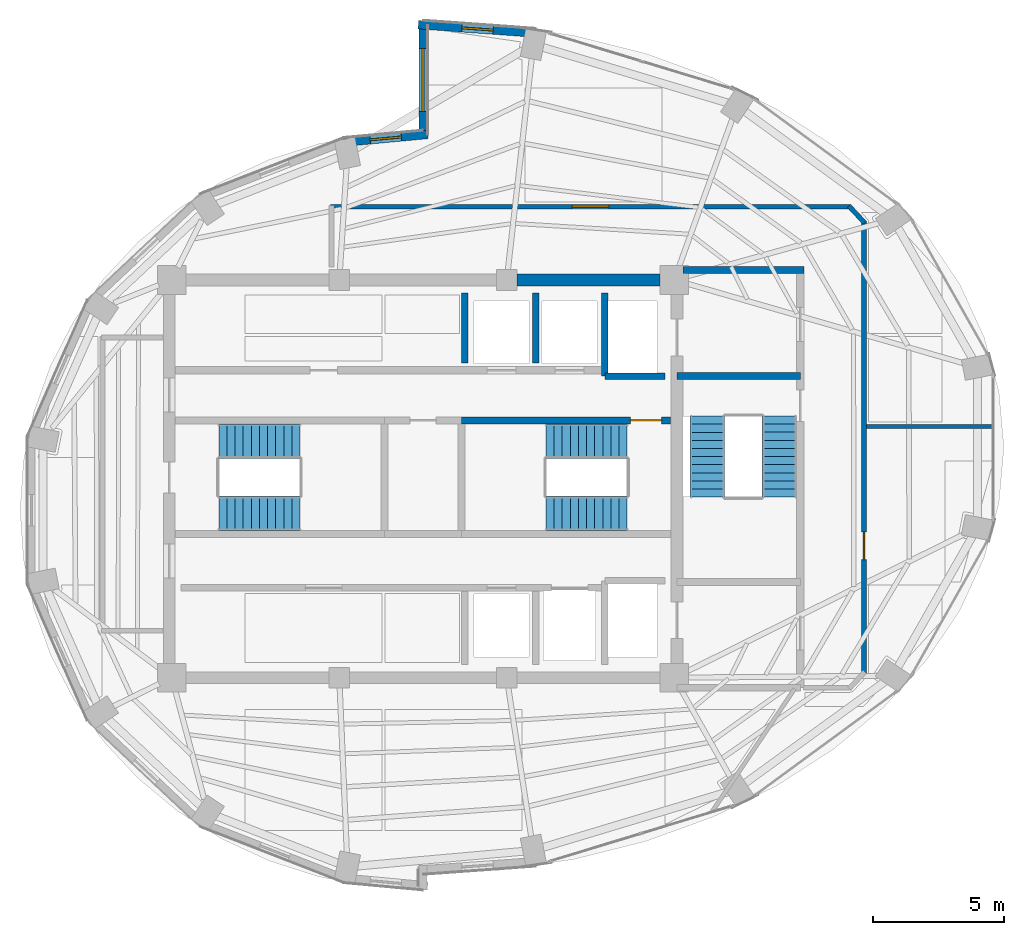
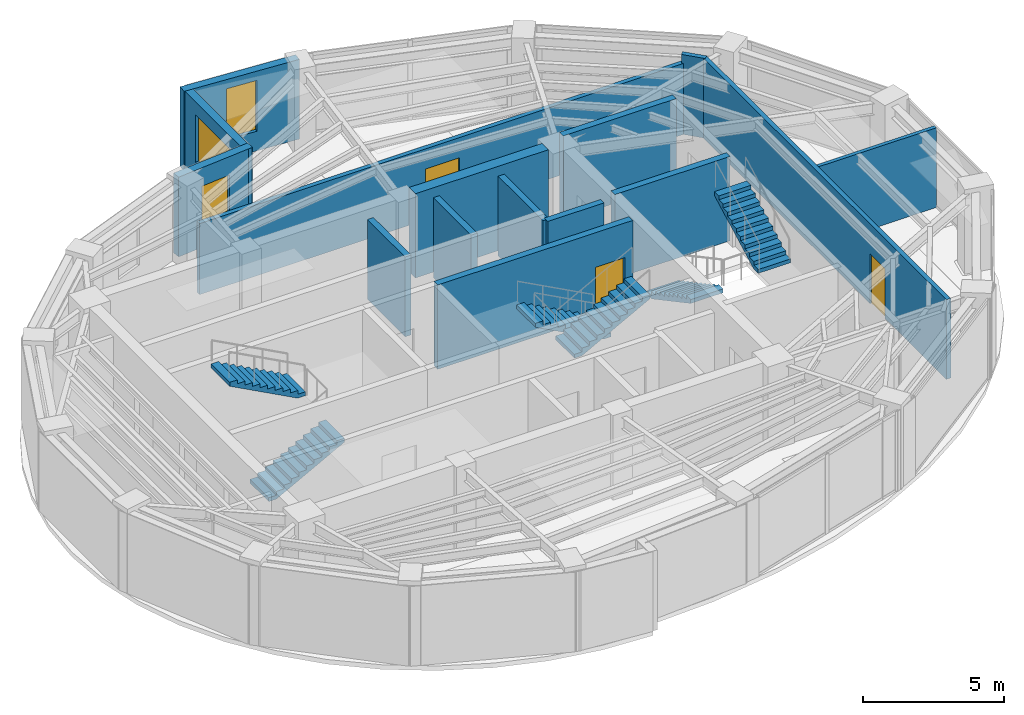
# One storey, part 10 of 12: 15 walls, 6 stair flights, 3 doors, 3 windows, 6 openings, 3 elements without a shape of their own.
"""IFC4 building model written with IfcOpenShell, lengths in metres."""

from ifc_helpers import new_model, si_unit, direction, frame, frame_2d, origin, place, context, subcontext, project, spatial, polyline, rectangle, outline, extrude, material, layer, layer_set, type_object, element, fill, aggregate, save


model = new_model("IFC4")

# Units and contexts
model_context = context("Model", 3, precision=1e-05, world=origin(), true_north=direction((0.0, 1.0)))
body_context = subcontext(model_context, "Body", "Model", "MODEL_VIEW")
ifc_project = project(units=[si_unit("LENGTHUNIT", "METRE"), si_unit("AREAUNIT", "SQUARE_METRE"), si_unit("VOLUMEUNIT", "CUBIC_METRE"), si_unit("PLANEANGLEUNIT", "RADIAN"), si_unit("MASSUNIT", "GRAM", prefix="KILO")], contexts=[model_context])

# Site, building, storey
site_placement = place(None, origin())
site = spatial("IfcSite", under=ifc_project, at=site_placement, CompositionType="ELEMENT")
building_placement = place(site_placement, origin())
building = spatial("IfcBuilding", under=site, at=building_placement, Name="Lazwardi Medical Tower", CompositionType="ELEMENT")
storey_placement = place(building_placement, frame((0.0, 0.0, 291.50390625)))
storey = spatial("IfcBuildingStorey", under=building, at=storey_placement, Name="L76", CompositionType="ELEMENT", Elevation=291.50390625)

# Wall, opening, door
ifc_material_1 = material(Name="Fire-rated gypsum board on steel stud", Category="steel")
ifc_layer_1 = layer(ifc_material_1, 0.179931640625)
ifc_layer_set_1 = layer_set([ifc_layer_1], Name="Fire-rated gypsum board on steel stud")
wall_type_1 = type_object("IfcWallType", Name="WL-COR-180", PredefinedType="PARTITIONING", material=ifc_layer_set_1)
wall_1_placement = place(storey_placement, frame((32.4599609375, 38.39990234375, 0.0), z_axis=(0.0, 0.0, 1.0), x_axis=(1.0, 0.0, 0.0)))
wall_1 = element("IfcWall", 1, at=wall_1_placement, inside=storey, type_object=wall_type_1, Name="L76 Corridor partition 2", PredefinedType="PARTITIONING", context=body_context, shape_type="SweptSolid", body=[
    extrude(rectangle(XDim=19.879150390625, YDim=0.179931640625, at=frame_2d((9.939453125, 0.0))), origin(), (0.0, 0.0, 1.0), 3.072998046875),
])
opening_1_placement = place(wall_1_placement, frame((9.239501953125, 0.0, 0.0)))
opening_1 = element("IfcOpeningElement", 2, at=opening_1_placement, cuts=wall_1, Name="Opening D-L76-009", PredefinedType="OPENING", context=body_context, shape_type="SweptSolid", body=[
    extrude(rectangle(XDim=1.39990234375, YDim=2.199951171875, at=frame_2d((0.699951171875, 1.10009765625))), frame((0.0, 0.099853515625, 0.0), z_axis=(0.0, -1.0, 0.0), x_axis=(1.0, 0.0, 0.0)), (0.0, 0.0, 1.0), 0.199951171875),
])
ifc_material_2 = material(Name="Anti-microbial laminate hospital leaf")
door_type_1 = type_object("IfcDoorType", Name="DR-BED-1400", OperationType="NOTDEFINED", PredefinedType="DOOR", material=ifc_material_2)
door_1_placement = place(opening_1_placement, origin())
door_1 = element("IfcDoor", 3, at=door_1_placement, inside=storey, type_object=door_type_1, Name="L76 Rehabilitation Gymnasium Door 02", OperationType="SINGLE_SWING_LEFT", OverallHeight=2.199951171875, OverallWidth=1.39990234375, PredefinedType="DOOR", context=body_context, shape_type="SweptSolid", body=[
    extrude(rectangle(XDim=1.39990234375, YDim=2.199951171875, at=frame_2d((0.699951171875, 1.10009765625))), frame((0.0, 0.02490234375, 0.0), z_axis=(0.0, -1.0, 0.0), x_axis=(1.0, 0.0, 0.0)), (0.0, 0.0, 1.0), 0.050048828125),
])
fill(opening_1, door_1)

# Wall
wall_2_placement = place(storey_placement, frame((52.271728515625, 38.42919921875, 0.0), z_axis=(0.0, 0.0, 1.0), x_axis=(0.682475113459, -0.730908831188, 0.0)))
element("IfcWall", 4, at=wall_2_placement, inside=storey, type_object=wall_type_1, Name="L76 Corridor partition 3", PredefinedType="PARTITIONING", context=body_context, shape_type="SweptSolid", body=[
    extrude(rectangle(XDim=0.88720703125, YDim=0.179931640625, at=frame_2d((0.443603515625, 0.0))), origin(), (0.0, 0.0, 1.0), 3.447998046875),
])

# Wall, opening, door
wall_3_placement = place(storey_placement, frame((52.85009765625, 37.85009765625, 0.0), z_axis=(0.0, 0.0, 1.0), x_axis=(0.0, -1.0, 0.0)))
wall_3 = element("IfcWall", 5, at=wall_3_placement, inside=storey, type_object=wall_type_1, Name="L76 Corridor partition 4", PredefinedType="PARTITIONING", context=body_context, shape_type="SweptSolid", body=[
    extrude(rectangle(XDim=17.30029296875, YDim=0.179931640625, at=frame_2d((8.650146484375, 0.0))), origin(), (0.0, 0.0, 1.0), 3.447998046875),
])
opening_2_placement = place(wall_3_placement, frame((11.89111328125, 0.0, 0.0)))
opening_2 = element("IfcOpeningElement", 6, at=opening_2_placement, cuts=wall_3, Name="Opening D-L76-008", PredefinedType="OPENING", context=body_context, shape_type="SweptSolid", body=[
    extrude(rectangle(XDim=1.050048828125, YDim=2.14990234375, at=frame_2d((0.52490234375, 1.074951171875))), frame((0.0, 0.099853515625, 0.0), z_axis=(0.0, -1.0, 0.0), x_axis=(1.0, 0.0, 0.0)), (0.0, 0.0, 1.0), 0.199951171875),
])
door_type_2 = type_object("IfcDoorType", Name="DR-CLN-1050", OperationType="NOTDEFINED", PredefinedType="DOOR", material=ifc_material_2)
door_2_placement = place(opening_2_placement, origin())
door_2 = element("IfcDoor", 7, at=door_2_placement, inside=storey, type_object=door_type_2, Name="L76 Clinical Specialist Office Door 01", OperationType="SINGLE_SWING_RIGHT", OverallHeight=2.14990234375, OverallWidth=1.050048828125, PredefinedType="DOOR", context=body_context, shape_type="SweptSolid", body=[
    extrude(rectangle(XDim=1.050048828125, YDim=2.14990234375, at=frame_2d((0.52490234375, 1.074951171875))), frame((0.0, 0.02490234375, 0.0), z_axis=(0.0, -1.0, 0.0), x_axis=(1.0, 0.0, 0.0)), (0.0, 0.0, 1.0), 0.050048828125),
])
fill(opening_2, door_2)

# Wall
ifc_material_3 = material(Name="Concrete C60/75", Category="concrete")
ifc_layer_2 = layer(ifc_material_3, 0.449951171875)
ifc_layer_set_2 = layer_set([ifc_layer_2], Name="Concrete C60/75")
wall_type_2 = type_object("IfcWallType", Name="WL-CORE-450", PredefinedType="SHEAR", material=ifc_layer_set_2)
wall_4_placement = place(storey_placement, frame((39.60009765625, 35.60009765625, 0.0), z_axis=(0.0, 0.0, 1.0), x_axis=(1.0, 0.0, 0.0)))
element("IfcWall", 8, at=wall_4_placement, inside=storey, type_object=wall_type_2, Name="Core wall CW-S4 N3 L76", PredefinedType="SHEAR", context=body_context, shape_type="SweptSolid", body=[
    extrude(rectangle(XDim=5.449951171875, YDim=0.449951171875, at=frame_2d((2.72509765625, 0.0))), origin(), (0.0, 0.0, 1.0), 3.648193359375),
])

# Wall, opening, window
ifc_material_4 = material(Name="Precast concrete C45/55", Category="concrete")
ifc_layer_3 = layer(ifc_material_4, 0.320068359375)
ifc_layer_set_3 = layer_set([ifc_layer_3], Name="Precast concrete C45/55")
wall_type_3 = type_object("IfcWallType", Name="WL-IWAN-320", PredefinedType="SOLIDWALL", material=ifc_layer_set_3)
wall_5_placement = place(storey_placement, frame((40.349609375, 45.0263671875, 0.0), z_axis=(0.0, 0.0, 1.0), x_axis=(-0.997412917451, 0.071885131294, 0.0)))
wall_5 = element("IfcWall", 9, at=wall_5_placement, inside=storey, type_object=wall_type_3, Name="L76 Iwan Portal Return Wall NE_ret", PredefinedType="SOLIDWALL", context=body_context, shape_type="SweptSolid", body=[
    extrude(rectangle(XDim=4.540771484375, YDim=0.320068359375, at=frame_2d((2.2705078125, 0.0))), origin(), (0.0, 0.0, 1.0), 3.447998046875),
])
opening_3_placement = place(wall_5_placement, frame((1.67041015625, 0.0, 0.85009765625)))
opening_3 = element("IfcOpeningElement", 10, at=opening_3_placement, cuts=wall_5, Name="Opening WN-01", PredefinedType="OPENING", context=body_context, shape_type="SweptSolid", body=[
    extrude(rectangle(XDim=1.199951171875, YDim=2.199951171875, at=frame_2d((0.60009765625, 1.10009765625))), frame((0.0, 0.169921875, 0.0), z_axis=(0.0, -1.0, 0.0), x_axis=(1.0, 0.0, 0.0)), (0.0, 0.0, 1.0), 0.340087890625),
])
ifc_material_5 = material(Name="Low-e bronze solar control double glazing", Category="glass")
window_type_1 = type_object("IfcWindowType", Name="WIN-IW-1200", PartitioningType="SINGLE_PANEL", PredefinedType="WINDOW", material=ifc_material_5)
window_1_placement = place(opening_3_placement, origin())
window_1 = element("IfcWindow", 11, at=window_1_placement, inside=storey, type_object=window_type_1, Name="L76 Iwan Slot Window NE_ret", OverallHeight=2.199951171875, OverallWidth=1.199951171875, PartitioningType="SINGLE_PANEL", PredefinedType="WINDOW", context=body_context, shape_type="SweptSolid", body=[
    extrude(rectangle(XDim=1.199951171875, YDim=2.199951171875, at=frame_2d((0.60009765625, 1.10009765625))), frame((0.0, 0.030029296875, 0.0), z_axis=(0.0, -1.0, 0.0), x_axis=(1.0, 0.0, 0.0)), (0.0, 0.0, 1.0), 0.06005859375),
])
fill(opening_3, window_1)

wall_6_placement = place(storey_placement, frame((36.178955078125, 41.156494140625, 0.0), z_axis=(0.0, 0.0, 1.0), x_axis=(-0.995736155144, -0.092247001792, 0.0)))
wall_6 = element("IfcWall", 12, at=wall_6_placement, inside=storey, type_object=wall_type_3, Name="L76 Iwan Portal Return Wall NW_ret", PredefinedType="SOLIDWALL", context=body_context, shape_type="SweptSolid", body=[
    extrude(rectangle(XDim=3.215576171875, YDim=0.320068359375, at=frame_2d((1.60791015625, 0.0))), origin(), (0.0, 0.0, 1.0), 3.447998046875),
])
opening_4_placement = place(wall_6_placement, frame((1.0078125, 0.0, 0.85009765625)))
opening_4 = element("IfcOpeningElement", 13, at=opening_4_placement, cuts=wall_6, Name="Opening WN-04", PredefinedType="OPENING", context=body_context, shape_type="SweptSolid", body=[
    extrude(rectangle(XDim=1.199951171875, YDim=1.800048828125, at=frame_2d((0.60009765625, 0.89990234375))), frame((0.0, 0.169921875, 0.0), z_axis=(0.0, -1.0, 0.0), x_axis=(1.0, 0.0, 0.0)), (0.0, 0.0, 1.0), 0.340087890625),
])
window_type_2 = type_object("IfcWindowType", Name="WIN-DRUM-1200", PartitioningType="SINGLE_PANEL", PredefinedType="WINDOW", material=ifc_material_5)
window_2_placement = place(opening_4_placement, origin())
window_2 = element("IfcWindow", 14, at=window_2_placement, inside=storey, type_object=window_type_2, Name="L76 Iwan Slot Window NW_ret", OverallHeight=1.800048828125, OverallWidth=1.199951171875, PartitioningType="SINGLE_PANEL", PredefinedType="WINDOW", context=body_context, shape_type="SweptSolid", body=[
    extrude(rectangle(XDim=1.199951171875, YDim=1.800048828125, at=frame_2d((0.60009765625, 0.89990234375))), frame((0.0, 0.030029296875, 0.0), z_axis=(0.0, -1.0, 0.0), x_axis=(1.0, 0.0, 0.0)), (0.0, 0.0, 1.0), 0.06005859375),
])
fill(opening_4, window_2)

wall_7_placement = place(storey_placement, frame((36.0, 45.5, 0.0), z_axis=(0.0, 0.0, 1.0), x_axis=(0.0, -1.0, 0.0)))
wall_7 = element("IfcWall", 15, at=wall_7_placement, inside=storey, type_object=wall_type_3, Name="L76 Turquoise Tilework Iwan Seam Wall N_seam", PredefinedType="SOLIDWALL", context=body_context, shape_type="SweptSolid", body=[
    extrude(rectangle(XDim=4.52001953125, YDim=0.320068359375, at=frame_2d((2.260009765625, 0.0))), origin(), (0.0, 0.0, 1.0), 3.447998046875),
])
opening_5_placement = place(wall_7_placement, frame((1.06005859375, 0.0, 0.840087890625)))
opening_5 = element("IfcOpeningElement", 16, at=opening_5_placement, cuts=wall_7, Name="Opening WN-02", PredefinedType="OPENING", context=body_context, shape_type="SweptSolid", body=[
    extrude(rectangle(XDim=2.39990234375, YDim=2.0400390625, at=frame_2d((1.199951171875, 1.02001953125))), frame((0.0, 0.169921875, 0.0), z_axis=(0.0, -1.0, 0.0), x_axis=(1.0, 0.0, 0.0)), (0.0, 0.0, 1.0), 0.340087890625),
])
window_type_3 = type_object("IfcWindowType", Name="WIN-IW-2400", PartitioningType="SINGLE_PANEL", PredefinedType="WINDOW", material=ifc_material_5)
window_3_placement = place(opening_5_placement, origin())
window_3 = element("IfcWindow", 17, at=window_3_placement, inside=storey, type_object=window_type_3, Name="L76 Iwan Seam Window N_seam", OverallHeight=2.0400390625, OverallWidth=2.39990234375, PartitioningType="SINGLE_PANEL", PredefinedType="WINDOW", context=body_context, shape_type="SweptSolid", body=[
    extrude(rectangle(XDim=2.39990234375, YDim=2.0400390625, at=frame_2d((1.199951171875, 1.02001953125))), frame((0.0, 0.030029296875, 0.0), z_axis=(0.0, -1.0, 0.0), x_axis=(1.0, 0.0, 0.0)), (0.0, 0.0, 1.0), 0.06005859375),
])
fill(opening_5, window_3)

# Walls
ifc_material_6 = material(Name="Autoclaved aerated concrete blockwork", Category="masonry")
ifc_layer_4 = layer(ifc_material_6, 0.25)
ifc_layer_set_4 = layer_set([ifc_layer_4], Name="Autoclaved aerated concrete blockwork")
wall_type_4 = type_object("IfcWallType", Name="WL-SHAFT-250", PredefinedType="SOLIDWALL", material=ifc_layer_set_4)
wall_8_placement = place(storey_placement, frame((42.949951171875, 31.919921875, 0.0), z_axis=(0.0, 0.0, 1.0), x_axis=(0.0, 1.0, 0.0)))
element("IfcWall", 18, at=wall_8_placement, inside=storey, type_object=wall_type_4, Name="L76 FL-01 West shaft wall", PredefinedType="SOLIDWALL", context=body_context, shape_type="SweptSolid", body=[
    extrude(rectangle(XDim=3.18017578125, YDim=0.25, at=frame_2d((1.590087890625, 0.0))), origin(), (0.0, 0.0, 1.0), 3.447998046875),
])
wall_9_placement = place(storey_placement, frame((42.949951171875, 31.919921875, 0.0), z_axis=(0.0, 0.0, 1.0), x_axis=(1.0, 0.0, 0.0)))
element("IfcWall", 19, at=wall_9_placement, inside=storey, type_object=wall_type_4, Name="L76 FL-01 South shaft wall", PredefinedType="SOLIDWALL", context=body_context, shape_type="SweptSolid", body=[
    extrude(rectangle(XDim=2.300048828125, YDim=0.25, at=frame_2d((1.14990234375, 0.0))), origin(), (0.0, 0.0, 1.0), 3.447998046875),
])
for number, where, z_axis, x_axis, name in (
    (20, (37.60009765625, 32.419921875, 0.0), (0.0, 0.0, 1.0), (0.0, 1.0, 0.0), "L76 North hoistway divider"),
    (21, (40.300048828125, 32.419921875, 0.0), (0.0, 0.0, 1.0), (0.0, 1.0, 0.0), "L76 North hoistway divider"),
):
    element("IfcWall", number, at=place(storey_placement, frame(where, z_axis=z_axis, x_axis=x_axis)), inside=storey, type_object=wall_type_4, Name=name, PredefinedType="SOLIDWALL", context=body_context, shape_type="SweptSolid", body=[
        extrude(rectangle(XDim=2.68017578125, YDim=0.25, at=frame_2d((1.340087890625, 0.0))), origin(), (0.0, 0.0, 1.0), 3.447998046875),
    ])

# Wall, opening, door
ifc_material_7 = material(Name="Concrete C50/60", Category="concrete")
ifc_layer_5 = layer(ifc_material_7, 0.27001953125)
ifc_layer_set_5 = layer_set([ifc_layer_5], Name="Concrete C50/60")
wall_type_5 = type_object("IfcWallType", Name="WL-STR-250", PredefinedType="SHEAR", material=ifc_layer_set_5)
wall_10_placement = place(storey_placement, frame((37.465087890625, 30.235107421875, 0.0), z_axis=(0.0, 0.0, 1.0), x_axis=(1.0, 0.0, 0.0)))
wall_10 = element("IfcWall", 22, at=wall_10_placement, inside=storey, type_object=wall_type_5, Name="L76 ST2 North shear shaft wall SW-S1", PredefinedType="SHEAR", context=body_context, shape_type="SweptSolid", body=[
    extrude(rectangle(XDim=7.98486328125, YDim=0.27001953125, at=frame_2d((3.992431640625, 0.0))), origin(), (0.0, 0.0, 1.0), 3.648193359375),
])
opening_6_placement = place(wall_10_placement, frame((6.455078125, 0.0, 0.0)))
opening_6 = element("IfcOpeningElement", 23, at=opening_6_placement, cuts=wall_10, Name="Opening D-L76-011", PredefinedType="OPENING", context=body_context, shape_type="SweptSolid", body=[
    extrude(rectangle(XDim=1.199951171875, YDim=2.14990234375, at=frame_2d((0.60009765625, 1.074951171875))), frame((0.0, 0.14501953125, 0.0), z_axis=(0.0, -1.0, 0.0), x_axis=(1.0, 0.0, 0.0)), (0.0, 0.0, 1.0), 0.2900390625),
])
ifc_material_8 = material(Name="Fire-rated steel leaf and frame", Category="steel")
door_type_3 = type_object("IfcDoorType", Name="DR-STR-1200", OperationType="NOTDEFINED", PredefinedType="DOOR", material=ifc_material_8)
door_3_placement = place(opening_6_placement, origin())
door_3 = element("IfcDoor", 24, at=door_3_placement, inside=storey, type_object=door_type_3, Name="L76 Exit Stair ST2 Door", OperationType="SINGLE_SWING_LEFT", OverallHeight=2.14990234375, OverallWidth=1.199951171875, PredefinedType="DOOR", context=body_context, shape_type="SweptSolid", body=[
    extrude(rectangle(XDim=1.199951171875, YDim=2.14990234375, at=frame_2d((0.60009765625, 1.074951171875))), frame((0.0, 0.02490234375, 0.0), z_axis=(0.0, -1.0, 0.0), x_axis=(1.0, 0.0, 0.0)), (0.0, 0.0, 1.0), 0.050048828125),
])
fill(opening_6, door_3)

# Walls
wall_11_placement = place(storey_placement, frame((45.925048828125, 35.97998046875, 0.0), z_axis=(0.0, 0.0, 1.0), x_axis=(1.0, 0.0, 0.0)))
element("IfcWall", 25, at=wall_11_placement, inside=storey, type_object=wall_type_5, Name="L76 FFL-N North shear wall SW-S1", PredefinedType="SHEAR", context=body_context, shape_type="SweptSolid", body=[
    extrude(rectangle(XDim=4.625, YDim=0.27001953125, at=frame_2d((2.3125, 0.0))), origin(), (0.0, 0.0, 1.0), 3.648193359375),
])
wall_12_placement = place(storey_placement, frame((45.699951171875, 31.93505859375, 0.0), z_axis=(0.0, 0.0, 1.0), x_axis=(1.0, 0.0, 0.0)))
element("IfcWall", 26, at=wall_12_placement, inside=storey, type_object=wall_type_5, Name="L76 ST3 North shear shaft wall SW-S1", PredefinedType="SHEAR", context=body_context, shape_type="SweptSolid", body=[
    extrude(rectangle(XDim=4.715087890625, YDim=0.27001953125, at=frame_2d((2.357421875, 0.0))), origin(), (0.0, 0.0, 1.0), 3.648193359375),
])
ifc_material_9 = material(Name="Acoustic gypsum board partition")
ifc_layer_6 = layer(ifc_material_9, 0.14990234375)
ifc_layer_set_6 = layer_set([ifc_layer_6], Name="Acoustic gypsum board partition")
wall_type_6 = type_object("IfcWallType", Name="WL-WRD-150", PredefinedType="PARTITIONING", material=ifc_layer_set_6)
wall_13_placement = place(storey_placement, frame((52.93994140625, 30.0, 0.0), z_axis=(0.0, 0.0, 1.0), x_axis=(1.0, 0.0, 0.0)))
element("IfcWall", 27, at=wall_13_placement, inside=storey, type_object=wall_type_6, Name="L76 Room partition 1", PredefinedType="PARTITIONING", context=body_context, shape_type="SweptSolid", body=[
    extrude(rectangle(XDim=4.831787109375, YDim=0.14990234375, at=frame_2d((2.416015625, 0.0))), origin(), (0.0, 0.0, 1.0), 3.447998046875),
])

# Stair, stair flights
ifc_material_10 = material(Name="Concrete C45/55", Category="concrete")
stair_type = type_object("IfcStairType", Name="STR-WRD", PredefinedType="HALF_TURN_STAIR", material=ifc_material_10)
stair_1_placement = place(storey_placement, origin())
stair_1 = element("IfcStair", 28, at=stair_1_placement, inside=storey, type_object=stair_type, Name="L76 Protected Exit Stair ST1", PredefinedType="HALF_TURN_STAIR")
stair_flight_type = type_object("IfcStairFlightType", Name="FLT-WRD", PredefinedType="STRAIGHT", material=ifc_material_10)
stair_flight_1_placement = place(storey_placement, frame((28.199951171875, 26.679931640625, 0.0), z_axis=(0.0, 0.0, 1.0), x_axis=(1.0, 0.0, 0.0)))
stair_flight_1 = element("IfcStairFlight", 29, at=stair_flight_1_placement, type_object=stair_flight_type, Name="ST1 flight 1", NumberOfRisers=11, NumberOfTreads=10, PredefinedType="STRAIGHT", RiserHeight=0.165818182, TreadLength=0.31, context=body_context, shape_type="SweptSolid", body=[
    extrude(outline(polyline([(0.0, 0.0), (0.0, 0.165771484375), (0.31005859375, 0.165771484375), (0.31005859375, 0.33154296875), (0.6201171875, 0.33154296875), (0.6201171875, 0.49755859375), (0.929931640625, 0.49755859375), (0.929931640625, 0.663330078125), (1.239990234375, 0.663330078125), (1.239990234375, 0.8291015625), (1.550048828125, 0.8291015625), (1.550048828125, 0.994873046875), (1.860107421875, 0.994873046875), (1.860107421875, 1.16064453125), (2.169921875, 1.16064453125), (2.169921875, 1.32666015625), (2.47998046875, 1.32666015625), (2.47998046875, 1.492431640625), (2.7900390625, 1.492431640625), (2.7900390625, 1.658203125), (3.10009765625, 1.658203125), (3.10009765625, 1.823974609375), (3.10009765625, 1.48828125), (0.31787109375, 0.0), (0.0, 0.0)])), frame((0.0, 0.66015625, 0.0), z_axis=(0.0, -1.0, 0.0), x_axis=(1.0, 0.0, 0.0)), (0.0, 0.0, 1.0), 1.320068359375),
])
stair_flight_2_placement = place(storey_placement, frame((31.300048828125, 29.43994140625, 1.823974609375), z_axis=(0.0, 0.0, 1.0), x_axis=(-1.0, 0.0, 0.0)))
stair_flight_2 = element("IfcStairFlight", 30, at=stair_flight_2_placement, type_object=stair_flight_type, Name="ST1 flight 2", NumberOfRisers=11, NumberOfTreads=10, PredefinedType="STRAIGHT", RiserHeight=0.165818182, TreadLength=0.31, context=body_context, shape_type="SweptSolid", body=[
    extrude(outline(polyline([(0.0, 0.0), (0.0, 0.165771484375), (0.31005859375, 0.165771484375), (0.31005859375, 0.33154296875), (0.6201171875, 0.33154296875), (0.6201171875, 0.49755859375), (0.929931640625, 0.49755859375), (0.929931640625, 0.663330078125), (1.239990234375, 0.663330078125), (1.239990234375, 0.8291015625), (1.550048828125, 0.8291015625), (1.550048828125, 0.994873046875), (1.860107421875, 0.994873046875), (1.860107421875, 1.16064453125), (2.169921875, 1.16064453125), (2.169921875, 1.32666015625), (2.47998046875, 1.32666015625), (2.47998046875, 1.492431640625), (2.7900390625, 1.492431640625), (2.7900390625, 1.658203125), (3.10009765625, 1.658203125), (3.10009765625, 1.823974609375), (3.10009765625, 1.48828125), (0.31787109375, 0.0), (0.0, 0.0)])), frame((0.0, 0.66015625, 0.0), z_axis=(0.0, -1.0, 0.0), x_axis=(1.0, 0.0, 0.0)), (0.0, 0.0, 1.0), 1.320068359375),
])
aggregate(stair_1, [stair_flight_1, stair_flight_2])

stair_2_placement = place(storey_placement, origin())
stair_2 = element("IfcStair", 31, at=stair_2_placement, inside=storey, type_object=stair_type, Name="L76 Protected Exit Stair ST2", PredefinedType="HALF_TURN_STAIR")
stair_flight_3_placement = place(storey_placement, frame((43.800048828125, 29.43994140625, 0.0), z_axis=(0.0, 0.0, 1.0), x_axis=(-1.0, 0.0, 0.0)))
stair_flight_3 = element("IfcStairFlight", 32, at=stair_flight_3_placement, type_object=stair_flight_type, Name="ST2 flight 1", NumberOfRisers=11, NumberOfTreads=10, PredefinedType="STRAIGHT", RiserHeight=0.165818182, TreadLength=0.31, context=body_context, shape_type="SweptSolid", body=[
    extrude(outline(polyline([(0.0, 0.0), (0.0, 0.165771484375), (0.31005859375, 0.165771484375), (0.31005859375, 0.33154296875), (0.6201171875, 0.33154296875), (0.6201171875, 0.49755859375), (0.929931640625, 0.49755859375), (0.929931640625, 0.663330078125), (1.239990234375, 0.663330078125), (1.239990234375, 0.8291015625), (1.550048828125, 0.8291015625), (1.550048828125, 0.994873046875), (1.860107421875, 0.994873046875), (1.860107421875, 1.16064453125), (2.169921875, 1.16064453125), (2.169921875, 1.32666015625), (2.47998046875, 1.32666015625), (2.47998046875, 1.492431640625), (2.7900390625, 1.492431640625), (2.7900390625, 1.658203125), (3.10009765625, 1.658203125), (3.10009765625, 1.823974609375), (3.10009765625, 1.48828125), (0.31787109375, 0.0), (0.0, 0.0)])), frame((0.0, 0.66015625, 0.0), z_axis=(0.0, -1.0, 0.0), x_axis=(1.0, 0.0, 0.0)), (0.0, 0.0, 1.0), 1.320068359375),
])
stair_flight_4_placement = place(storey_placement, frame((40.699951171875, 26.679931640625, 1.823974609375), z_axis=(0.0, 0.0, 1.0), x_axis=(1.0, 0.0, 0.0)))
stair_flight_4 = element("IfcStairFlight", 33, at=stair_flight_4_placement, type_object=stair_flight_type, Name="ST2 flight 2", NumberOfRisers=11, NumberOfTreads=10, PredefinedType="STRAIGHT", RiserHeight=0.165818182, TreadLength=0.31, context=body_context, shape_type="SweptSolid", body=[
    extrude(outline(polyline([(0.0, 0.0), (0.0, 0.165771484375), (0.31005859375, 0.165771484375), (0.31005859375, 0.33154296875), (0.6201171875, 0.33154296875), (0.6201171875, 0.49755859375), (0.929931640625, 0.49755859375), (0.929931640625, 0.663330078125), (1.239990234375, 0.663330078125), (1.239990234375, 0.8291015625), (1.550048828125, 0.8291015625), (1.550048828125, 0.994873046875), (1.860107421875, 0.994873046875), (1.860107421875, 1.16064453125), (2.169921875, 1.16064453125), (2.169921875, 1.32666015625), (2.47998046875, 1.32666015625), (2.47998046875, 1.492431640625), (2.7900390625, 1.492431640625), (2.7900390625, 1.658203125), (3.10009765625, 1.658203125), (3.10009765625, 1.823974609375), (3.10009765625, 1.48828125), (0.31787109375, 0.0), (0.0, 0.0)])), frame((0.0, 0.66015625, 0.0), z_axis=(0.0, -1.0, 0.0), x_axis=(1.0, 0.0, 0.0)), (0.0, 0.0, 1.0), 1.320068359375),
])
aggregate(stair_2, [stair_flight_3, stair_flight_4])

stair_3_placement = place(storey_placement, origin())
stair_3 = element("IfcStair", 34, at=stair_3_placement, inside=storey, type_object=stair_type, Name="L76 Protected Exit Stair ST3", PredefinedType="HALF_TURN_STAIR")
stair_flight_5_placement = place(storey_placement, frame((46.860107421875, 30.39990234375, 0.0), z_axis=(0.0, 0.0, 1.0), x_axis=(0.0, -1.0, 0.0)))
stair_flight_5 = element("IfcStairFlight", 35, at=stair_flight_5_placement, type_object=stair_flight_type, Name="ST3 flight 1", NumberOfRisers=11, NumberOfTreads=10, PredefinedType="STRAIGHT", RiserHeight=0.165818182, TreadLength=0.31, context=body_context, shape_type="SweptSolid", body=[
    extrude(outline(polyline([(0.0, 0.0), (0.0, 0.165771484375), (0.31005859375, 0.165771484375), (0.31005859375, 0.33154296875), (0.6201171875, 0.33154296875), (0.6201171875, 0.49755859375), (0.929931640625, 0.49755859375), (0.929931640625, 0.663330078125), (1.239990234375, 0.663330078125), (1.239990234375, 0.8291015625), (1.550048828125, 0.8291015625), (1.550048828125, 0.994873046875), (1.860107421875, 0.994873046875), (1.860107421875, 1.16064453125), (2.169921875, 1.16064453125), (2.169921875, 1.32666015625), (2.47998046875, 1.32666015625), (2.47998046875, 1.492431640625), (2.7900390625, 1.492431640625), (2.7900390625, 1.658203125), (3.10009765625, 1.658203125), (3.10009765625, 1.823974609375), (3.10009765625, 1.48828125), (0.31787109375, 0.0), (0.0, 0.0)])), frame((0.0, 0.66015625, 0.0), z_axis=(0.0, -1.0, 0.0), x_axis=(1.0, 0.0, 0.0)), (0.0, 0.0, 1.0), 1.320068359375),
])
stair_flight_6_placement = place(storey_placement, frame((49.6201171875, 27.300048828125, 1.823974609375), z_axis=(0.0, 0.0, 1.0), x_axis=(0.0, 1.0, 0.0)))
stair_flight_6 = element("IfcStairFlight", 36, at=stair_flight_6_placement, type_object=stair_flight_type, Name="ST3 flight 2", NumberOfRisers=11, NumberOfTreads=10, PredefinedType="STRAIGHT", RiserHeight=0.165818182, TreadLength=0.31, context=body_context, shape_type="SweptSolid", body=[
    extrude(outline(polyline([(0.0, 0.0), (0.0, 0.165771484375), (0.31005859375, 0.165771484375), (0.31005859375, 0.33154296875), (0.6201171875, 0.33154296875), (0.6201171875, 0.49755859375), (0.929931640625, 0.49755859375), (0.929931640625, 0.663330078125), (1.239990234375, 0.663330078125), (1.239990234375, 0.8291015625), (1.550048828125, 0.8291015625), (1.550048828125, 0.994873046875), (1.860107421875, 0.994873046875), (1.860107421875, 1.16064453125), (2.169921875, 1.16064453125), (2.169921875, 1.32666015625), (2.47998046875, 1.32666015625), (2.47998046875, 1.492431640625), (2.7900390625, 1.492431640625), (2.7900390625, 1.658203125), (3.10009765625, 1.658203125), (3.10009765625, 1.823974609375), (3.10009765625, 1.48828125), (0.31787109375, 0.0), (0.0, 0.0)])), frame((0.0, 0.66015625, 0.0), z_axis=(0.0, -1.0, 0.0), x_axis=(1.0, 0.0, 0.0)), (0.0, 0.0, 1.0), 1.320068359375),
])
aggregate(stair_3, [stair_flight_5, stair_flight_6])

save(model, "model.ifc")
